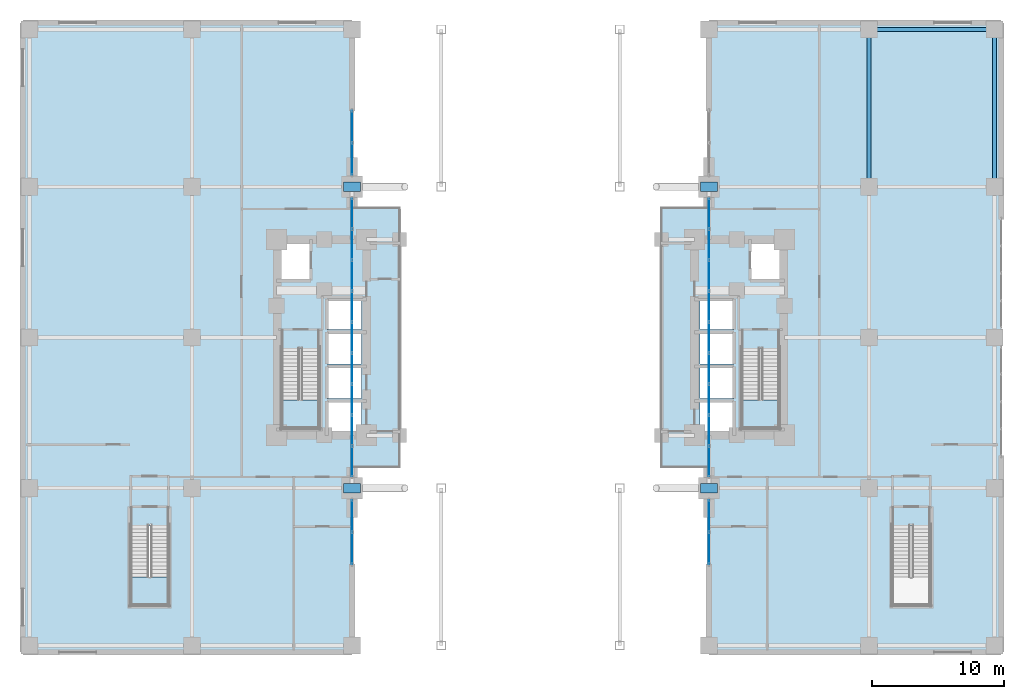
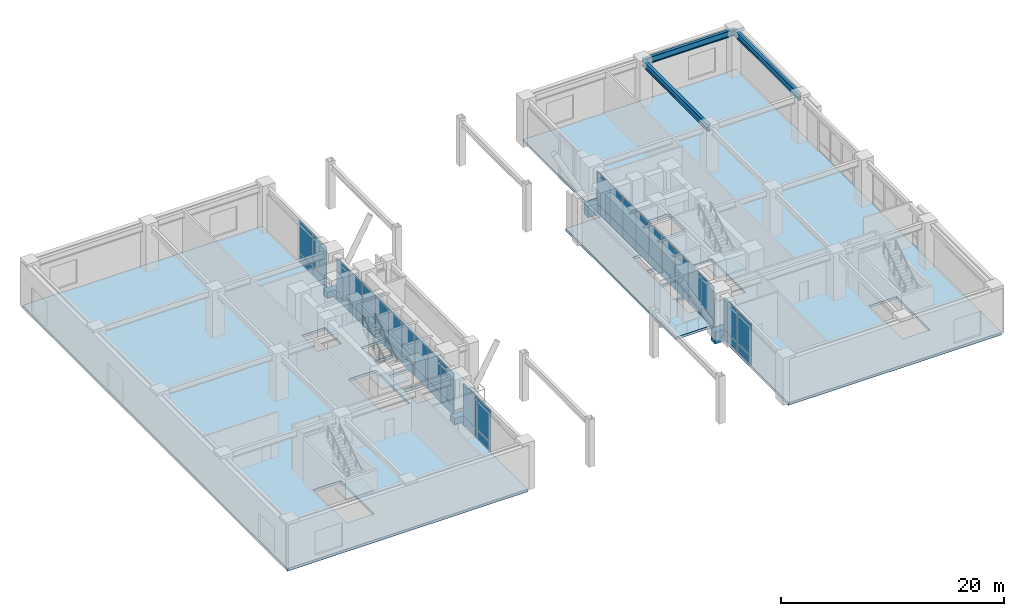
# One storey, part 18 of 27: 52 plates, 5 slabs, 3 beams, 8 elements without a shape of their own.
"""IFC4 building model written with IfcOpenShell, lengths in metres."""

from ifc_helpers import new_model, si_unit, direction, frame, origin, origin_2d, place, context, subcontext, project, spatial, polyline, rectangle, i_section, outline, extrude, material, layer, layer_set, material_profile, profile_set, type_object, element, aggregate, save


model = new_model("IFC4")

# Units and contexts
model_context = context("Model", 3, precision=1e-05, world=origin(), true_north=direction((0.0, 1.0)))
body_context = subcontext(model_context, "Body", "Model", "MODEL_VIEW")
ifc_project = project(units=[si_unit("LENGTHUNIT", "METRE"), si_unit("AREAUNIT", "SQUARE_METRE"), si_unit("VOLUMEUNIT", "CUBIC_METRE"), si_unit("PLANEANGLEUNIT", "RADIAN"), si_unit("MASSUNIT", "GRAM", prefix="KILO")], contexts=[model_context])

# Site, building, storey
site_placement = place(None, origin())
site = spatial("IfcSite", under=ifc_project, at=site_placement, CompositionType="ELEMENT")
building_placement = place(site_placement, origin())
building = spatial("IfcBuilding", under=site, at=building_placement, Name="Voryun Gate Residences", CompositionType="ELEMENT")
storey_placement = place(building_placement, frame((0.0, 0.0, 5.199951171875)))
storey = spatial("IfcBuildingStorey", under=building, at=storey_placement, Name="L01", CompositionType="ELEMENT", Elevation=5.199951171875)

# Beams
ifc_material_1 = material(Name="Steel SM355", Category="steel")
ifc_material_profile = material_profile(ifc_material_1, i_section(OverallWidth=0.300048828125, OverallDepth=0.699951171875, WebThickness=0.012939453125, FlangeThickness=0.02392578125, FilletRadius=0.01806640625, at=origin_2d()), Name="H-700x300x13x24")
ifc_profile_set = profile_set([ifc_material_profile], Name="Steel SM355")
beam_type = type_object("IfcBeamType", Name="BM_GIRD_700", PredefinedType="USERDEFINED", material=ifc_profile_set)
beam_placement = place(storey_placement, frame((25.60009765625, 23.300048828125, 4.570068359375), z_axis=(1.0, 0.0, 0.0), x_axis=(0.0, 1.0, 0.0)))
element("IfcBeam", 1, at=beam_placement, inside=storey, type_object=beam_type, Name="BM-L01-PEX-+23.3-1", ObjectType="GIRDER", PredefinedType="USERDEFINED", context=body_context, shape_type="SweptSolid", body=[
    extrude(i_section(OverallWidth=0.300048828125, OverallDepth=0.699951171875, WebThickness=0.012939453125, FlangeThickness=0.02392578125, FilletRadius=0.01806640625, at=origin_2d()), origin(), (0.0, 0.0, 1.0), 9.5),
])
for number, where, z_axis, x_axis, name in (
    (2, (25.60009765625, 11.39990234375, 4.570068359375), (0.0, 1.0, 0.0), (-1.0, 0.0, 0.0), "BM-L01-PEY-+25.6-3"),
    (3, (35.10009765625, 11.39990234375, 4.570068359375), (0.0, 1.0, 0.0), (-1.0, 0.0, 0.0), "BM-L01-PEY-+35.1-3"),
):
    element("IfcBeam", number, at=place(storey_placement, frame(where, z_axis=z_axis, x_axis=x_axis)), inside=storey, type_object=beam_type, Name=name, ObjectType="GIRDER", PredefinedType="USERDEFINED", context=body_context, shape_type="SweptSolid", body=[
        extrude(i_section(OverallWidth=0.300048828125, OverallDepth=0.699951171875, WebThickness=0.012939453125, FlangeThickness=0.02392578125, FilletRadius=0.01806640625, at=origin_2d()), origin(), (0.0, 0.0, 1.0), 11.900146484375),
    ])

# Plates
ifc_material_2 = material(Name="Steel SM420", Category="steel")
ifc_layer_1 = layer(ifc_material_2, 0.0400390625, Name="PLT_ARCH_GUSSET_40")
ifc_layer_set_1 = layer_set([ifc_layer_1], Name="Steel SM420")
plate_type_1 = type_object("IfcPlateType", Name="PLT_ARCH_GUSSET_40", PredefinedType="USERDEFINED", material=ifc_layer_set_1)
for number, where, z_axis, x_axis, name in (
    (4, (-13.5, -11.39990234375, -0.64990234375), (0.0, 0.0, 1.0), (1.0, 0.0, 0.0), "Arch Gusset Plate AN1-S"),
    (5, (13.5, -11.39990234375, -0.64990234375), (0.0, 0.0, 1.0), (1.0, 0.0, 0.0), "Arch Gusset Plate AN9-S"),
    (6, (-13.5, 11.39990234375, -0.64990234375), (0.0, 0.0, 1.0), (1.0, 0.0, 0.0), "Arch Gusset Plate AN1-N"),
    (7, (13.5, 11.39990234375, -0.64990234375), (0.0, 0.0, 1.0), (1.0, 0.0, 0.0), "Arch Gusset Plate AN9-N"),
):
    element("IfcPlate", number, at=place(storey_placement, frame(where, z_axis=z_axis, x_axis=x_axis)), inside=storey, type_object=plate_type_1, Name=name, ObjectType="GUSSET_PLATE", PredefinedType="USERDEFINED", context=body_context, shape_type="SweptSolid", body=[
        extrude(rectangle(XDim=1.300048828125, YDim=0.719970703125, at=origin_2d()), origin(), (0.0, 0.0, 1.0), 1.300048828125),
    ])

# Curtain wall, plates
ifc_material_3 = material(Name="Anodised aluminium", Category="aluminium")
ifc_layer_2 = layer(ifc_material_3, 0.239990234375, Name="CW_SYS_ARCH_DARK_GLASS")
ifc_layer_set_2 = layer_set([ifc_layer_2], Name="Anodised aluminium")
curtain_wall_type = type_object("IfcCurtainWallType", Name="CW_SYS_ARCH_DARK_GLASS", PredefinedType="NOTDEFINED", material=ifc_layer_set_2)
curtain_wall_1_placement = place(storey_placement, origin())
curtain_wall_1 = element("IfcCurtainWall", 8, at=curtain_wall_1_placement, inside=storey, type_object=curtain_wall_type, Name="Curtain wall CW2-L01-WP-S", PredefinedType="NOTDEFINED")
ifc_material_4 = material(Name="Laminated low-E glass", Category="glass")
ifc_layer_3 = layer(ifc_material_4, 0.048095703125, Name="PLT_GLASS_DARK_POD")
ifc_layer_set_3 = layer_set([ifc_layer_3], Name="Laminated low-E glass")
plate_type_2 = type_object("IfcPlateType", Name="PLT_GLASS_DARK_POD", PredefinedType="CURTAIN_PANEL", material=ifc_layer_set_3)
plate_1_placement = place(storey_placement, frame((-13.5, -15.9462890625, 0.06005859375), z_axis=(0.0, 0.0, 1.0), x_axis=(0.0, 1.0, 0.0)))
plate_1 = element("IfcPlate", 9, at=plate_1_placement, type_object=plate_type_2, Name="CW2 panel 1.1", PredefinedType="CURTAIN_PANEL", context=body_context, shape_type="SweptSolid", body=[
    extrude(rectangle(XDim=2.387451171875, YDim=0.028076171875, at=origin_2d()), origin(), (0.0, 0.0, 1.0), 0.9599609375),
])
plate_2_placement = place(storey_placement, frame((-13.5, -15.9462890625, 1.080078125), z_axis=(0.0, 0.0, 1.0), x_axis=(0.0, 1.0, 0.0)))
plate_2 = element("IfcPlate", 10, at=plate_2_placement, type_object=plate_type_2, Name="CW2 panel 1.2", PredefinedType="CURTAIN_PANEL", context=body_context, shape_type="SweptSolid", body=[
    extrude(rectangle(XDim=2.387451171875, YDim=0.028076171875, at=origin_2d()), origin(), (0.0, 0.0, 1.0), 3.56005859375),
])
plate_3_placement = place(storey_placement, frame((-13.5, -13.498779296875, 0.06005859375), z_axis=(0.0, 0.0, 1.0), x_axis=(0.0, 1.0, 0.0)))
plate_3 = element("IfcPlate", 11, at=plate_3_placement, type_object=plate_type_2, Name="CW2 panel 2.1", PredefinedType="CURTAIN_PANEL", context=body_context, shape_type="SweptSolid", body=[
    extrude(rectangle(XDim=2.387451171875, YDim=0.028076171875, at=origin_2d()), origin(), (0.0, 0.0, 1.0), 0.9599609375),
])
plate_4_placement = place(storey_placement, frame((-13.5, -13.498779296875, 1.080078125), z_axis=(0.0, 0.0, 1.0), x_axis=(0.0, 1.0, 0.0)))
plate_4 = element("IfcPlate", 12, at=plate_4_placement, type_object=plate_type_2, Name="CW2 panel 2.2", PredefinedType="CURTAIN_PANEL", context=body_context, shape_type="SweptSolid", body=[
    extrude(rectangle(XDim=2.387451171875, YDim=0.028076171875, at=origin_2d()), origin(), (0.0, 0.0, 1.0), 3.56005859375),
])
aggregate(curtain_wall_1, [plate_1, plate_2, plate_3, plate_4])

curtain_wall_2_placement = place(storey_placement, origin())
curtain_wall_2 = element("IfcCurtainWall", 13, at=curtain_wall_2_placement, inside=storey, type_object=curtain_wall_type, Name="Curtain wall CW2-L01-WP-M", PredefinedType="NOTDEFINED")
plate_5_placement = place(storey_placement, frame((-13.5, -9.3671875, 0.06005859375), z_axis=(0.0, 0.0, 1.0), x_axis=(0.0, 1.0, 0.0)))
plate_5 = element("IfcPlate", 14, at=plate_5_placement, type_object=plate_type_2, Name="CW2 panel 1.1", PredefinedType="CURTAIN_PANEL", context=body_context, shape_type="SweptSolid", body=[
    extrude(rectangle(XDim=2.255615234375, YDim=0.028076171875, at=origin_2d()), origin(), (0.0, 0.0, 1.0), 0.9599609375),
])
plate_6_placement = place(storey_placement, frame((-13.5, -9.3671875, 1.080078125), z_axis=(0.0, 0.0, 1.0), x_axis=(0.0, 1.0, 0.0)))
plate_6 = element("IfcPlate", 15, at=plate_6_placement, type_object=plate_type_2, Name="CW2 panel 1.2", PredefinedType="CURTAIN_PANEL", context=body_context, shape_type="SweptSolid", body=[
    extrude(rectangle(XDim=2.255615234375, YDim=0.028076171875, at=origin_2d()), origin(), (0.0, 0.0, 1.0), 3.56005859375),
])
plate_7_placement = place(storey_placement, frame((-13.5, -7.03662109375, 0.06005859375), z_axis=(0.0, 0.0, 1.0), x_axis=(0.0, 1.0, 0.0)))
plate_7 = element("IfcPlate", 16, at=plate_7_placement, type_object=plate_type_2, Name="CW2 panel 2.1", PredefinedType="CURTAIN_PANEL", context=body_context, shape_type="SweptSolid", body=[
    extrude(rectangle(XDim=2.28564453125, YDim=0.028076171875, at=origin_2d()), origin(), (0.0, 0.0, 1.0), 0.9599609375),
])
plate_8_placement = place(storey_placement, frame((-13.5, -7.03662109375, 1.080078125), z_axis=(0.0, 0.0, 1.0), x_axis=(0.0, 1.0, 0.0)))
plate_8 = element("IfcPlate", 17, at=plate_8_placement, type_object=plate_type_2, Name="CW2 panel 2.2", PredefinedType="CURTAIN_PANEL", context=body_context, shape_type="SweptSolid", body=[
    extrude(rectangle(XDim=2.28564453125, YDim=0.028076171875, at=origin_2d()), origin(), (0.0, 0.0, 1.0), 3.56005859375),
])
plate_9_placement = place(storey_placement, frame((-13.5, -4.691162109375, 0.06005859375), z_axis=(0.0, 0.0, 1.0), x_axis=(0.0, 1.0, 0.0)))
plate_9 = element("IfcPlate", 18, at=plate_9_placement, type_object=plate_type_2, Name="CW2 panel 3.1", PredefinedType="CURTAIN_PANEL", context=body_context, shape_type="SweptSolid", body=[
    extrude(rectangle(XDim=2.28564453125, YDim=0.028076171875, at=origin_2d()), origin(), (0.0, 0.0, 1.0), 0.9599609375),
])
plate_10_placement = place(storey_placement, frame((-13.5, -4.691162109375, 1.080078125), z_axis=(0.0, 0.0, 1.0), x_axis=(0.0, 1.0, 0.0)))
plate_10 = element("IfcPlate", 19, at=plate_10_placement, type_object=plate_type_2, Name="CW2 panel 3.2", PredefinedType="CURTAIN_PANEL", context=body_context, shape_type="SweptSolid", body=[
    extrude(rectangle(XDim=2.28564453125, YDim=0.028076171875, at=origin_2d()), origin(), (0.0, 0.0, 1.0), 3.56005859375),
])
plate_11_placement = place(storey_placement, frame((-13.5, -2.345458984375, 0.06005859375), z_axis=(0.0, 0.0, 1.0), x_axis=(0.0, 1.0, 0.0)))
plate_11 = element("IfcPlate", 20, at=plate_11_placement, type_object=plate_type_2, Name="CW2 panel 4.1", PredefinedType="CURTAIN_PANEL", context=body_context, shape_type="SweptSolid", body=[
    extrude(rectangle(XDim=2.28564453125, YDim=0.028076171875, at=origin_2d()), origin(), (0.0, 0.0, 1.0), 0.9599609375),
])
plate_12_placement = place(storey_placement, frame((-13.5, -2.345458984375, 1.080078125), z_axis=(0.0, 0.0, 1.0), x_axis=(0.0, 1.0, 0.0)))
plate_12 = element("IfcPlate", 21, at=plate_12_placement, type_object=plate_type_2, Name="CW2 panel 4.2", PredefinedType="CURTAIN_PANEL", context=body_context, shape_type="SweptSolid", body=[
    extrude(rectangle(XDim=2.28564453125, YDim=0.028076171875, at=origin_2d()), origin(), (0.0, 0.0, 1.0), 3.56005859375),
])
plate_13_placement = place(storey_placement, frame((-13.5, 0.0, 0.06005859375), z_axis=(0.0, 0.0, 1.0), x_axis=(0.0, 1.0, 0.0)))
plate_13 = element("IfcPlate", 22, at=plate_13_placement, type_object=plate_type_2, Name="CW2 panel 5.1", PredefinedType="CURTAIN_PANEL", context=body_context, shape_type="SweptSolid", body=[
    extrude(rectangle(XDim=2.28564453125, YDim=0.028076171875, at=origin_2d()), origin(), (0.0, 0.0, 1.0), 0.9599609375),
])
plate_14_placement = place(storey_placement, frame((-13.5, 0.0, 1.080078125), z_axis=(0.0, 0.0, 1.0), x_axis=(0.0, 1.0, 0.0)))
plate_14 = element("IfcPlate", 23, at=plate_14_placement, type_object=plate_type_2, Name="CW2 panel 5.2", PredefinedType="CURTAIN_PANEL", context=body_context, shape_type="SweptSolid", body=[
    extrude(rectangle(XDim=2.28564453125, YDim=0.028076171875, at=origin_2d()), origin(), (0.0, 0.0, 1.0), 3.56005859375),
])
plate_15_placement = place(storey_placement, frame((-13.5, 2.345458984375, 0.06005859375), z_axis=(0.0, 0.0, 1.0), x_axis=(0.0, 1.0, 0.0)))
plate_15 = element("IfcPlate", 24, at=plate_15_placement, type_object=plate_type_2, Name="CW2 panel 6.1", PredefinedType="CURTAIN_PANEL", context=body_context, shape_type="SweptSolid", body=[
    extrude(rectangle(XDim=2.28564453125, YDim=0.028076171875, at=origin_2d()), origin(), (0.0, 0.0, 1.0), 0.9599609375),
])
plate_16_placement = place(storey_placement, frame((-13.5, 2.345458984375, 1.080078125), z_axis=(0.0, 0.0, 1.0), x_axis=(0.0, 1.0, 0.0)))
plate_16 = element("IfcPlate", 25, at=plate_16_placement, type_object=plate_type_2, Name="CW2 panel 6.2", PredefinedType="CURTAIN_PANEL", context=body_context, shape_type="SweptSolid", body=[
    extrude(rectangle(XDim=2.28564453125, YDim=0.028076171875, at=origin_2d()), origin(), (0.0, 0.0, 1.0), 3.56005859375),
])
plate_17_placement = place(storey_placement, frame((-13.5, 4.691162109375, 0.06005859375), z_axis=(0.0, 0.0, 1.0), x_axis=(0.0, 1.0, 0.0)))
plate_17 = element("IfcPlate", 26, at=plate_17_placement, type_object=plate_type_2, Name="CW2 panel 7.1", PredefinedType="CURTAIN_PANEL", context=body_context, shape_type="SweptSolid", body=[
    extrude(rectangle(XDim=2.28564453125, YDim=0.028076171875, at=origin_2d()), origin(), (0.0, 0.0, 1.0), 0.9599609375),
])
plate_18_placement = place(storey_placement, frame((-13.5, 4.691162109375, 1.080078125), z_axis=(0.0, 0.0, 1.0), x_axis=(0.0, 1.0, 0.0)))
plate_18 = element("IfcPlate", 27, at=plate_18_placement, type_object=plate_type_2, Name="CW2 panel 7.2", PredefinedType="CURTAIN_PANEL", context=body_context, shape_type="SweptSolid", body=[
    extrude(rectangle(XDim=2.28564453125, YDim=0.028076171875, at=origin_2d()), origin(), (0.0, 0.0, 1.0), 3.56005859375),
])
plate_19_placement = place(storey_placement, frame((-13.5, 7.03662109375, 0.06005859375), z_axis=(0.0, 0.0, 1.0), x_axis=(0.0, 1.0, 0.0)))
plate_19 = element("IfcPlate", 28, at=plate_19_placement, type_object=plate_type_2, Name="CW2 panel 8.1", PredefinedType="CURTAIN_PANEL", context=body_context, shape_type="SweptSolid", body=[
    extrude(rectangle(XDim=2.28564453125, YDim=0.028076171875, at=origin_2d()), origin(), (0.0, 0.0, 1.0), 0.9599609375),
])
plate_20_placement = place(storey_placement, frame((-13.5, 7.03662109375, 1.080078125), z_axis=(0.0, 0.0, 1.0), x_axis=(0.0, 1.0, 0.0)))
plate_20 = element("IfcPlate", 29, at=plate_20_placement, type_object=plate_type_2, Name="CW2 panel 8.2", PredefinedType="CURTAIN_PANEL", context=body_context, shape_type="SweptSolid", body=[
    extrude(rectangle(XDim=2.28564453125, YDim=0.028076171875, at=origin_2d()), origin(), (0.0, 0.0, 1.0), 3.56005859375),
])
plate_21_placement = place(storey_placement, frame((-13.5, 9.3671875, 0.06005859375), z_axis=(0.0, 0.0, 1.0), x_axis=(0.0, 1.0, 0.0)))
plate_21 = element("IfcPlate", 30, at=plate_21_placement, type_object=plate_type_2, Name="CW2 panel 9.1", PredefinedType="CURTAIN_PANEL", context=body_context, shape_type="SweptSolid", body=[
    extrude(rectangle(XDim=2.255615234375, YDim=0.028076171875, at=origin_2d()), origin(), (0.0, 0.0, 1.0), 0.9599609375),
])
plate_22_placement = place(storey_placement, frame((-13.5, 9.3671875, 1.080078125), z_axis=(0.0, 0.0, 1.0), x_axis=(0.0, 1.0, 0.0)))
plate_22 = element("IfcPlate", 31, at=plate_22_placement, type_object=plate_type_2, Name="CW2 panel 9.2", PredefinedType="CURTAIN_PANEL", context=body_context, shape_type="SweptSolid", body=[
    extrude(rectangle(XDim=2.255615234375, YDim=0.028076171875, at=origin_2d()), origin(), (0.0, 0.0, 1.0), 3.56005859375),
])
aggregate(curtain_wall_2, [plate_5, plate_6, plate_7, plate_8, plate_9, plate_10, plate_11, plate_12, plate_13, plate_14, plate_15, plate_16, plate_17, plate_18, plate_19, plate_20, plate_21, plate_22])

curtain_wall_3_placement = place(storey_placement, origin())
curtain_wall_3 = element("IfcCurtainWall", 32, at=curtain_wall_3_placement, inside=storey, type_object=curtain_wall_type, Name="Curtain wall CW2-L01-WP-N", PredefinedType="NOTDEFINED")
plate_23_placement = place(storey_placement, frame((-13.5, 13.498779296875, 0.06005859375), z_axis=(0.0, 0.0, 1.0), x_axis=(0.0, 1.0, 0.0)))
plate_23 = element("IfcPlate", 33, at=plate_23_placement, type_object=plate_type_2, Name="CW2 panel 1.1", PredefinedType="CURTAIN_PANEL", context=body_context, shape_type="SweptSolid", body=[
    extrude(rectangle(XDim=2.387451171875, YDim=0.028076171875, at=origin_2d()), origin(), (0.0, 0.0, 1.0), 0.9599609375),
])
plate_24_placement = place(storey_placement, frame((-13.5, 13.498779296875, 1.080078125), z_axis=(0.0, 0.0, 1.0), x_axis=(0.0, 1.0, 0.0)))
plate_24 = element("IfcPlate", 34, at=plate_24_placement, type_object=plate_type_2, Name="CW2 panel 1.2", PredefinedType="CURTAIN_PANEL", context=body_context, shape_type="SweptSolid", body=[
    extrude(rectangle(XDim=2.387451171875, YDim=0.028076171875, at=origin_2d()), origin(), (0.0, 0.0, 1.0), 3.56005859375),
])
plate_25_placement = place(storey_placement, frame((-13.5, 15.9462890625, 0.06005859375), z_axis=(0.0, 0.0, 1.0), x_axis=(0.0, 1.0, 0.0)))
plate_25 = element("IfcPlate", 35, at=plate_25_placement, type_object=plate_type_2, Name="CW2 panel 2.1", PredefinedType="CURTAIN_PANEL", context=body_context, shape_type="SweptSolid", body=[
    extrude(rectangle(XDim=2.387451171875, YDim=0.028076171875, at=origin_2d()), origin(), (0.0, 0.0, 1.0), 0.9599609375),
])
plate_26_placement = place(storey_placement, frame((-13.5, 15.9462890625, 1.080078125), z_axis=(0.0, 0.0, 1.0), x_axis=(0.0, 1.0, 0.0)))
plate_26 = element("IfcPlate", 36, at=plate_26_placement, type_object=plate_type_2, Name="CW2 panel 2.2", PredefinedType="CURTAIN_PANEL", context=body_context, shape_type="SweptSolid", body=[
    extrude(rectangle(XDim=2.387451171875, YDim=0.028076171875, at=origin_2d()), origin(), (0.0, 0.0, 1.0), 3.56005859375),
])
aggregate(curtain_wall_3, [plate_23, plate_24, plate_25, plate_26])

curtain_wall_4_placement = place(storey_placement, origin())
curtain_wall_4 = element("IfcCurtainWall", 37, at=curtain_wall_4_placement, inside=storey, type_object=curtain_wall_type, Name="Curtain wall CW2-L01-EP-S", PredefinedType="NOTDEFINED")
plate_27_placement = place(storey_placement, frame((13.5, -15.9462890625, 0.06005859375), z_axis=(0.0, 0.0, 1.0), x_axis=(0.0, 1.0, 0.0)))
plate_27 = element("IfcPlate", 38, at=plate_27_placement, type_object=plate_type_2, Name="CW2 panel 1.1", PredefinedType="CURTAIN_PANEL", context=body_context, shape_type="SweptSolid", body=[
    extrude(rectangle(XDim=2.387451171875, YDim=0.028076171875, at=origin_2d()), origin(), (0.0, 0.0, 1.0), 0.9599609375),
])
plate_28_placement = place(storey_placement, frame((13.5, -15.9462890625, 1.080078125), z_axis=(0.0, 0.0, 1.0), x_axis=(0.0, 1.0, 0.0)))
plate_28 = element("IfcPlate", 39, at=plate_28_placement, type_object=plate_type_2, Name="CW2 panel 1.2", PredefinedType="CURTAIN_PANEL", context=body_context, shape_type="SweptSolid", body=[
    extrude(rectangle(XDim=2.387451171875, YDim=0.028076171875, at=origin_2d()), origin(), (0.0, 0.0, 1.0), 3.56005859375),
])
plate_29_placement = place(storey_placement, frame((13.5, -13.498779296875, 0.06005859375), z_axis=(0.0, 0.0, 1.0), x_axis=(0.0, 1.0, 0.0)))
plate_29 = element("IfcPlate", 40, at=plate_29_placement, type_object=plate_type_2, Name="CW2 panel 2.1", PredefinedType="CURTAIN_PANEL", context=body_context, shape_type="SweptSolid", body=[
    extrude(rectangle(XDim=2.387451171875, YDim=0.028076171875, at=origin_2d()), origin(), (0.0, 0.0, 1.0), 0.9599609375),
])
plate_30_placement = place(storey_placement, frame((13.5, -13.498779296875, 1.080078125), z_axis=(0.0, 0.0, 1.0), x_axis=(0.0, 1.0, 0.0)))
plate_30 = element("IfcPlate", 41, at=plate_30_placement, type_object=plate_type_2, Name="CW2 panel 2.2", PredefinedType="CURTAIN_PANEL", context=body_context, shape_type="SweptSolid", body=[
    extrude(rectangle(XDim=2.387451171875, YDim=0.028076171875, at=origin_2d()), origin(), (0.0, 0.0, 1.0), 3.56005859375),
])
aggregate(curtain_wall_4, [plate_27, plate_28, plate_29, plate_30])

curtain_wall_5_placement = place(storey_placement, origin())
curtain_wall_5 = element("IfcCurtainWall", 42, at=curtain_wall_5_placement, inside=storey, type_object=curtain_wall_type, Name="Curtain wall CW2-L01-EP-M", PredefinedType="NOTDEFINED")
plate_31_placement = place(storey_placement, frame((13.5, -9.3671875, 0.06005859375), z_axis=(0.0, 0.0, 1.0), x_axis=(0.0, 1.0, 0.0)))
plate_31 = element("IfcPlate", 43, at=plate_31_placement, type_object=plate_type_2, Name="CW2 panel 1.1", PredefinedType="CURTAIN_PANEL", context=body_context, shape_type="SweptSolid", body=[
    extrude(rectangle(XDim=2.255615234375, YDim=0.028076171875, at=origin_2d()), origin(), (0.0, 0.0, 1.0), 0.9599609375),
])
plate_32_placement = place(storey_placement, frame((13.5, -9.3671875, 1.080078125), z_axis=(0.0, 0.0, 1.0), x_axis=(0.0, 1.0, 0.0)))
plate_32 = element("IfcPlate", 44, at=plate_32_placement, type_object=plate_type_2, Name="CW2 panel 1.2", PredefinedType="CURTAIN_PANEL", context=body_context, shape_type="SweptSolid", body=[
    extrude(rectangle(XDim=2.255615234375, YDim=0.028076171875, at=origin_2d()), origin(), (0.0, 0.0, 1.0), 3.56005859375),
])
plate_33_placement = place(storey_placement, frame((13.5, -7.03662109375, 0.06005859375), z_axis=(0.0, 0.0, 1.0), x_axis=(0.0, 1.0, 0.0)))
plate_33 = element("IfcPlate", 45, at=plate_33_placement, type_object=plate_type_2, Name="CW2 panel 2.1", PredefinedType="CURTAIN_PANEL", context=body_context, shape_type="SweptSolid", body=[
    extrude(rectangle(XDim=2.28564453125, YDim=0.028076171875, at=origin_2d()), origin(), (0.0, 0.0, 1.0), 0.9599609375),
])
plate_34_placement = place(storey_placement, frame((13.5, -7.03662109375, 1.080078125), z_axis=(0.0, 0.0, 1.0), x_axis=(0.0, 1.0, 0.0)))
plate_34 = element("IfcPlate", 46, at=plate_34_placement, type_object=plate_type_2, Name="CW2 panel 2.2", PredefinedType="CURTAIN_PANEL", context=body_context, shape_type="SweptSolid", body=[
    extrude(rectangle(XDim=2.28564453125, YDim=0.028076171875, at=origin_2d()), origin(), (0.0, 0.0, 1.0), 3.56005859375),
])
plate_35_placement = place(storey_placement, frame((13.5, -4.691162109375, 0.06005859375), z_axis=(0.0, 0.0, 1.0), x_axis=(0.0, 1.0, 0.0)))
plate_35 = element("IfcPlate", 47, at=plate_35_placement, type_object=plate_type_2, Name="CW2 panel 3.1", PredefinedType="CURTAIN_PANEL", context=body_context, shape_type="SweptSolid", body=[
    extrude(rectangle(XDim=2.28564453125, YDim=0.028076171875, at=origin_2d()), origin(), (0.0, 0.0, 1.0), 0.9599609375),
])
plate_36_placement = place(storey_placement, frame((13.5, -4.691162109375, 1.080078125), z_axis=(0.0, 0.0, 1.0), x_axis=(0.0, 1.0, 0.0)))
plate_36 = element("IfcPlate", 48, at=plate_36_placement, type_object=plate_type_2, Name="CW2 panel 3.2", PredefinedType="CURTAIN_PANEL", context=body_context, shape_type="SweptSolid", body=[
    extrude(rectangle(XDim=2.28564453125, YDim=0.028076171875, at=origin_2d()), origin(), (0.0, 0.0, 1.0), 3.56005859375),
])
plate_37_placement = place(storey_placement, frame((13.5, -2.345458984375, 0.06005859375), z_axis=(0.0, 0.0, 1.0), x_axis=(0.0, 1.0, 0.0)))
plate_37 = element("IfcPlate", 49, at=plate_37_placement, type_object=plate_type_2, Name="CW2 panel 4.1", PredefinedType="CURTAIN_PANEL", context=body_context, shape_type="SweptSolid", body=[
    extrude(rectangle(XDim=2.28564453125, YDim=0.028076171875, at=origin_2d()), origin(), (0.0, 0.0, 1.0), 0.9599609375),
])
plate_38_placement = place(storey_placement, frame((13.5, -2.345458984375, 1.080078125), z_axis=(0.0, 0.0, 1.0), x_axis=(0.0, 1.0, 0.0)))
plate_38 = element("IfcPlate", 50, at=plate_38_placement, type_object=plate_type_2, Name="CW2 panel 4.2", PredefinedType="CURTAIN_PANEL", context=body_context, shape_type="SweptSolid", body=[
    extrude(rectangle(XDim=2.28564453125, YDim=0.028076171875, at=origin_2d()), origin(), (0.0, 0.0, 1.0), 3.56005859375),
])
plate_39_placement = place(storey_placement, frame((13.5, 0.0, 0.06005859375), z_axis=(0.0, 0.0, 1.0), x_axis=(0.0, 1.0, 0.0)))
plate_39 = element("IfcPlate", 51, at=plate_39_placement, type_object=plate_type_2, Name="CW2 panel 5.1", PredefinedType="CURTAIN_PANEL", context=body_context, shape_type="SweptSolid", body=[
    extrude(rectangle(XDim=2.28564453125, YDim=0.028076171875, at=origin_2d()), origin(), (0.0, 0.0, 1.0), 0.9599609375),
])
plate_40_placement = place(storey_placement, frame((13.5, 0.0, 1.080078125), z_axis=(0.0, 0.0, 1.0), x_axis=(0.0, 1.0, 0.0)))
plate_40 = element("IfcPlate", 52, at=plate_40_placement, type_object=plate_type_2, Name="CW2 panel 5.2", PredefinedType="CURTAIN_PANEL", context=body_context, shape_type="SweptSolid", body=[
    extrude(rectangle(XDim=2.28564453125, YDim=0.028076171875, at=origin_2d()), origin(), (0.0, 0.0, 1.0), 3.56005859375),
])
plate_41_placement = place(storey_placement, frame((13.5, 2.345458984375, 0.06005859375), z_axis=(0.0, 0.0, 1.0), x_axis=(0.0, 1.0, 0.0)))
plate_41 = element("IfcPlate", 53, at=plate_41_placement, type_object=plate_type_2, Name="CW2 panel 6.1", PredefinedType="CURTAIN_PANEL", context=body_context, shape_type="SweptSolid", body=[
    extrude(rectangle(XDim=2.28564453125, YDim=0.028076171875, at=origin_2d()), origin(), (0.0, 0.0, 1.0), 0.9599609375),
])
plate_42_placement = place(storey_placement, frame((13.5, 2.345458984375, 1.080078125), z_axis=(0.0, 0.0, 1.0), x_axis=(0.0, 1.0, 0.0)))
plate_42 = element("IfcPlate", 54, at=plate_42_placement, type_object=plate_type_2, Name="CW2 panel 6.2", PredefinedType="CURTAIN_PANEL", context=body_context, shape_type="SweptSolid", body=[
    extrude(rectangle(XDim=2.28564453125, YDim=0.028076171875, at=origin_2d()), origin(), (0.0, 0.0, 1.0), 3.56005859375),
])
plate_43_placement = place(storey_placement, frame((13.5, 4.691162109375, 0.06005859375), z_axis=(0.0, 0.0, 1.0), x_axis=(0.0, 1.0, 0.0)))
plate_43 = element("IfcPlate", 55, at=plate_43_placement, type_object=plate_type_2, Name="CW2 panel 7.1", PredefinedType="CURTAIN_PANEL", context=body_context, shape_type="SweptSolid", body=[
    extrude(rectangle(XDim=2.28564453125, YDim=0.028076171875, at=origin_2d()), origin(), (0.0, 0.0, 1.0), 0.9599609375),
])
plate_44_placement = place(storey_placement, frame((13.5, 4.691162109375, 1.080078125), z_axis=(0.0, 0.0, 1.0), x_axis=(0.0, 1.0, 0.0)))
plate_44 = element("IfcPlate", 56, at=plate_44_placement, type_object=plate_type_2, Name="CW2 panel 7.2", PredefinedType="CURTAIN_PANEL", context=body_context, shape_type="SweptSolid", body=[
    extrude(rectangle(XDim=2.28564453125, YDim=0.028076171875, at=origin_2d()), origin(), (0.0, 0.0, 1.0), 3.56005859375),
])
plate_45_placement = place(storey_placement, frame((13.5, 7.03662109375, 0.06005859375), z_axis=(0.0, 0.0, 1.0), x_axis=(0.0, 1.0, 0.0)))
plate_45 = element("IfcPlate", 57, at=plate_45_placement, type_object=plate_type_2, Name="CW2 panel 8.1", PredefinedType="CURTAIN_PANEL", context=body_context, shape_type="SweptSolid", body=[
    extrude(rectangle(XDim=2.28564453125, YDim=0.028076171875, at=origin_2d()), origin(), (0.0, 0.0, 1.0), 0.9599609375),
])
plate_46_placement = place(storey_placement, frame((13.5, 7.03662109375, 1.080078125), z_axis=(0.0, 0.0, 1.0), x_axis=(0.0, 1.0, 0.0)))
plate_46 = element("IfcPlate", 58, at=plate_46_placement, type_object=plate_type_2, Name="CW2 panel 8.2", PredefinedType="CURTAIN_PANEL", context=body_context, shape_type="SweptSolid", body=[
    extrude(rectangle(XDim=2.28564453125, YDim=0.028076171875, at=origin_2d()), origin(), (0.0, 0.0, 1.0), 3.56005859375),
])
plate_47_placement = place(storey_placement, frame((13.5, 9.3671875, 0.06005859375), z_axis=(0.0, 0.0, 1.0), x_axis=(0.0, 1.0, 0.0)))
plate_47 = element("IfcPlate", 59, at=plate_47_placement, type_object=plate_type_2, Name="CW2 panel 9.1", PredefinedType="CURTAIN_PANEL", context=body_context, shape_type="SweptSolid", body=[
    extrude(rectangle(XDim=2.255615234375, YDim=0.028076171875, at=origin_2d()), origin(), (0.0, 0.0, 1.0), 0.9599609375),
])
plate_48_placement = place(storey_placement, frame((13.5, 9.3671875, 1.080078125), z_axis=(0.0, 0.0, 1.0), x_axis=(0.0, 1.0, 0.0)))
plate_48 = element("IfcPlate", 60, at=plate_48_placement, type_object=plate_type_2, Name="CW2 panel 9.2", PredefinedType="CURTAIN_PANEL", context=body_context, shape_type="SweptSolid", body=[
    extrude(rectangle(XDim=2.255615234375, YDim=0.028076171875, at=origin_2d()), origin(), (0.0, 0.0, 1.0), 3.56005859375),
])
aggregate(curtain_wall_5, [plate_31, plate_32, plate_33, plate_34, plate_35, plate_36, plate_37, plate_38, plate_39, plate_40, plate_41, plate_42, plate_43, plate_44, plate_45, plate_46, plate_47, plate_48])

# Slabs
ifc_material_5 = material(Name="Concrete C50/60", Category="concrete")
ifc_layer_4 = layer(ifc_material_5, 0.280029296875, Name="SLB_POD_280")
ifc_layer_set_4 = layer_set([ifc_layer_4], Name="Concrete C50/60")
slab_type_1 = type_object("IfcSlabType", Name="SLB_POD_280", PredefinedType="FLOOR", material=ifc_layer_set_4)
slab_1_placement = place(storey_placement, frame((0.0, 0.0, -0.280029296875)))
element("IfcSlab", 61, at=slab_1_placement, inside=storey, type_object=slab_type_1, Name="L01 West Podium Pier Slab", PredefinedType="FLOOR", context=body_context, shape_type="SweptSolid", body=[
    extrude(outline(polyline([(-38.39990234375, -23.800048828125), (-38.39990234375, 23.800048828125), (-13.5, 23.800048828125), (-13.5, 9.85009765625), (-9.85009765625, 9.85009765625), (-9.85009765625, -9.85009765625), (-13.5, -9.85009765625), (-13.5, -23.800048828125), (-38.39990234375, -23.800048828125)]), holes=[polyline([(-27.375, -20.25), (-27.375, -14.239990234375), (-30.22509765625, -14.239990234375), (-30.22509765625, -20.25), (-27.375, -20.25)]), polyline([(-12.800048828125, -7.199951171875), (-12.800048828125, -4.800048828125), (-15.39990234375, -4.800048828125), (-15.39990234375, -7.199951171875), (-12.800048828125, -7.199951171875)]), polyline([(-18.824951171875, -6.85009765625), (-15.97509765625, -6.85009765625), (-15.97509765625, -0.840087890625), (-18.824951171875, -0.840087890625), (-18.824951171875, -6.85009765625)]), polyline([(-12.800048828125, -4.60009765625), (-12.800048828125, -2.199951171875), (-15.39990234375, -2.199951171875), (-15.39990234375, -4.60009765625), (-12.800048828125, -4.60009765625)]), polyline([(-12.800048828125, -2.0), (-12.800048828125, 0.39990234375), (-15.39990234375, 0.39990234375), (-15.39990234375, -2.0), (-12.800048828125, -2.0)]), polyline([(-12.800048828125, 0.60009765625), (-12.800048828125, 2.89990234375), (-15.39990234375, 2.89990234375), (-15.39990234375, 0.60009765625), (-12.800048828125, 0.60009765625)]), polyline([(-16.60009765625, 4.300048828125), (-16.60009765625, 7.199951171875), (-19.0, 7.199951171875), (-19.0, 4.300048828125), (-16.60009765625, 4.300048828125)])]), origin(), (0.0, 0.0, 1.0), 0.280029296875),
])
slab_2_placement = place(storey_placement, frame((0.0, 0.0, -0.280029296875)))
element("IfcSlab", 62, at=slab_2_placement, inside=storey, type_object=slab_type_1, Name="L01 East Podium Pier Slab", PredefinedType="FLOOR", context=body_context, shape_type="SweptSolid", body=[
    extrude(outline(polyline([(9.85009765625, 9.85009765625), (13.5, 9.85009765625), (13.5, 23.800048828125), (35.60009765625, 23.800048828125), (35.60009765625, -23.800048828125), (13.5, -23.800048828125), (13.5, -9.85009765625), (9.85009765625, -9.85009765625), (9.85009765625, 9.85009765625)]), holes=[polyline([(30.22509765625, -20.25), (30.22509765625, -14.239990234375), (27.375, -14.239990234375), (27.375, -20.25), (30.22509765625, -20.25)]), polyline([(15.39990234375, -7.199951171875), (15.39990234375, -4.800048828125), (12.800048828125, -4.800048828125), (12.800048828125, -7.199951171875), (15.39990234375, -7.199951171875)]), polyline([(15.97509765625, -6.85009765625), (18.824951171875, -6.85009765625), (18.824951171875, -0.840087890625), (15.97509765625, -0.840087890625), (15.97509765625, -6.85009765625)]), polyline([(15.39990234375, -4.60009765625), (15.39990234375, -2.199951171875), (12.800048828125, -2.199951171875), (12.800048828125, -4.60009765625), (15.39990234375, -4.60009765625)]), polyline([(15.39990234375, -2.0), (15.39990234375, 0.39990234375), (12.800048828125, 0.39990234375), (12.800048828125, -2.0), (15.39990234375, -2.0)]), polyline([(15.39990234375, 0.60009765625), (15.39990234375, 2.89990234375), (12.800048828125, 2.89990234375), (12.800048828125, 0.60009765625), (15.39990234375, 0.60009765625)]), polyline([(19.0, 4.300048828125), (19.0, 7.199951171875), (16.60009765625, 7.199951171875), (16.60009765625, 4.300048828125), (19.0, 4.300048828125)])]), origin(), (0.0, 0.0, 1.0), 0.280029296875),
])

# Stair, slab
ifc_material_6 = material(Name="Concrete C40/50", Category="concrete")
stair_type_1 = type_object("IfcStairType", Name="STR_CORE_DOGLEG_1350", PredefinedType="HALF_TURN_STAIR", material=ifc_material_6)
stair_1_placement = place(storey_placement, origin())
stair_1 = element("IfcStair", 63, at=stair_1_placement, inside=storey, type_object=stair_type_1, Name="L01 Special Escape Stair ST-W1", PredefinedType="HALF_TURN_STAIR")
ifc_material_7 = material(Name="Concrete C40/50", Category="concrete")
ifc_layer_5 = layer(ifc_material_7, 0.199951171875, Name="SLB_STAIR_LANDING_200")
ifc_layer_set_5 = layer_set([ifc_layer_5], Name="Concrete C40/50")
slab_type_2 = type_object("IfcSlabType", Name="SLB_STAIR_LANDING_200", PredefinedType="LANDING", material=ifc_layer_set_5)
slab_3_placement = place(storey_placement, frame((0.0, 0.0, 2.400146484375)))
slab_3 = element("IfcSlab", 64, at=slab_3_placement, type_object=slab_type_2, Name="ST-W1 landing 1", PredefinedType="LANDING", context=body_context, shape_type="SweptSolid", body=[
    extrude(outline(polyline([(-18.824951171875, -4.719970703125), (-18.824951171875, -6.85009765625), (-15.97509765625, -6.85009765625), (-15.97509765625, -4.719970703125), (-18.824951171875, -4.719970703125)])), origin(), (0.0, 0.0, 1.0), 0.199951171875),
])
aggregate(stair_1, [slab_3])

stair_2_placement = place(storey_placement, origin())
stair_2 = element("IfcStair", 65, at=stair_2_placement, inside=storey, type_object=stair_type_1, Name="L01 Special Escape Stair ST-E1", PredefinedType="HALF_TURN_STAIR")
slab_4_placement = place(storey_placement, frame((0.0, 0.0, 2.400146484375)))
slab_4 = element("IfcSlab", 66, at=slab_4_placement, type_object=slab_type_2, Name="ST-E1 landing 1", PredefinedType="LANDING", context=body_context, shape_type="SweptSolid", body=[
    extrude(outline(polyline([(15.97509765625, -4.719970703125), (15.97509765625, -6.85009765625), (18.824951171875, -6.85009765625), (18.824951171875, -4.719970703125), (15.97509765625, -4.719970703125)])), origin(), (0.0, 0.0, 1.0), 0.199951171875),
])
aggregate(stair_2, [slab_4])

ifc_material_8 = material(Name="Concrete C40/50", Category="concrete")
stair_type_2 = type_object("IfcStairType", Name="STR_CROWN_DOGLEG_1250", PredefinedType="HALF_TURN_STAIR", material=ifc_material_8)
stair_3_placement = place(storey_placement, origin())
stair_3 = element("IfcStair", 67, at=stair_3_placement, inside=storey, type_object=stair_type_2, Name="L01 Special Escape Stair ST-P1", PredefinedType="HALF_TURN_STAIR")
slab_5_placement = place(storey_placement, frame((0.0, 0.0, 2.400146484375)))
slab_5 = element("IfcSlab", 68, at=slab_5_placement, type_object=slab_type_2, Name="ST-P1 landing 1", PredefinedType="LANDING", context=body_context, shape_type="SweptSolid", body=[
    extrude(outline(polyline([(-30.22509765625, -18.1201171875), (-30.22509765625, -20.25), (-27.375, -20.25), (-27.375, -18.1201171875), (-30.22509765625, -18.1201171875)])), origin(), (0.0, 0.0, 1.0), 0.199951171875),
])
aggregate(stair_3, [slab_5])

save(model, "model.ifc")
